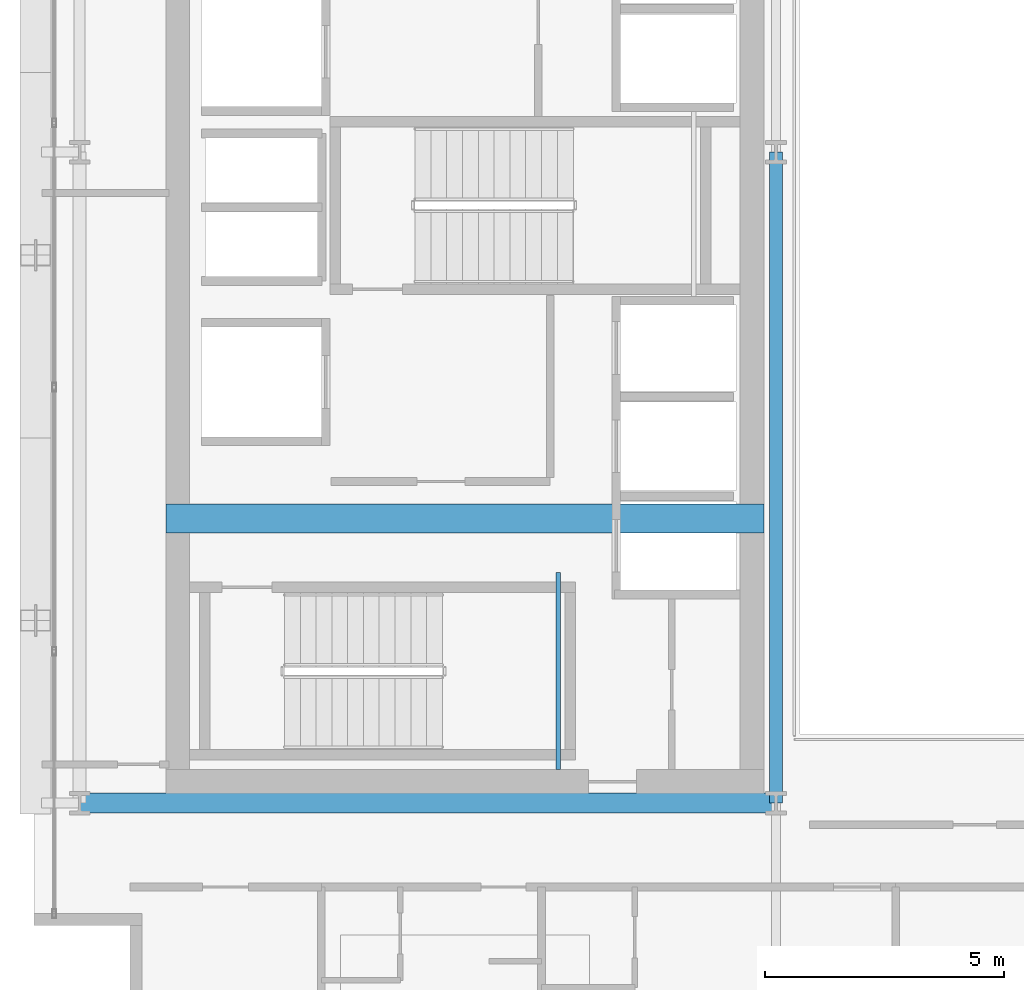
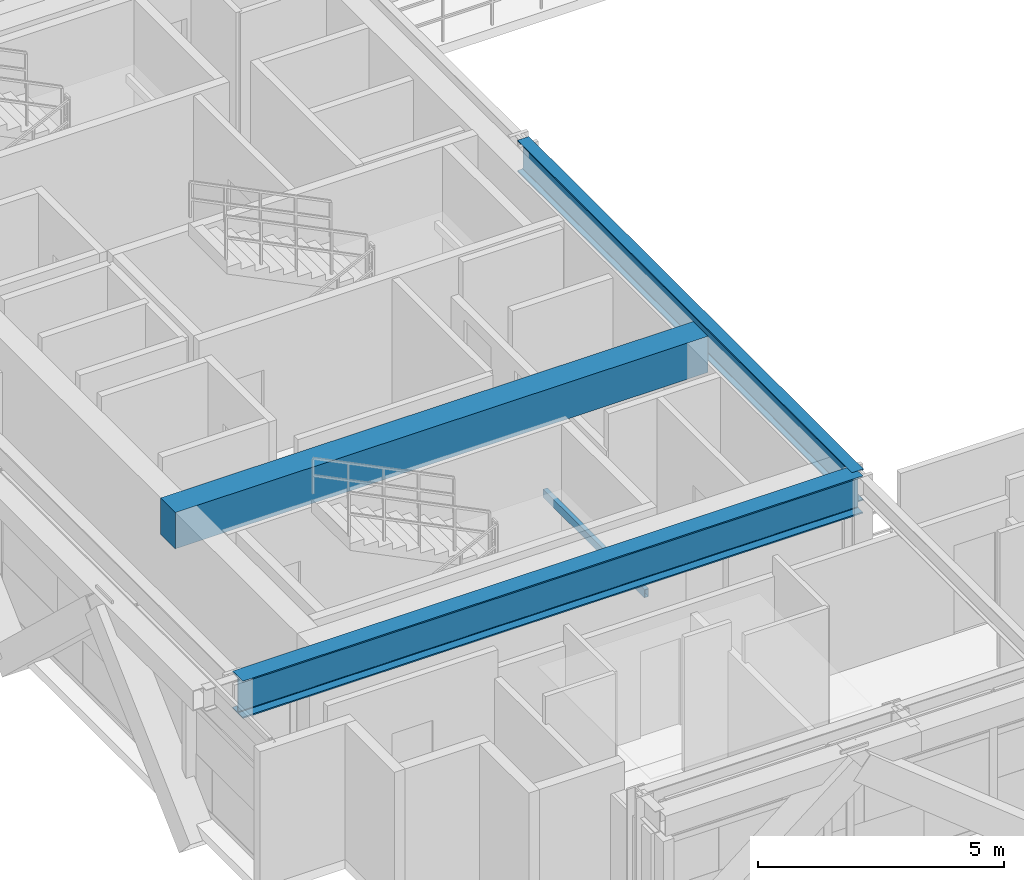
# One storey, part 5 of 31: 4 beams.
"""IFC4 building model written with IfcOpenShell, lengths in metres."""

from ifc_helpers import new_model, si_unit, direction, frame, origin, origin_2d, place, context, subcontext, project, spatial, rectangle, hollow_rectangle, i_section, extrude, source, transform, mapped, material, material_profile, profile_set, type_object, element, save


model = new_model("IFC4")

# Units and contexts
model_context = context("Model", 3, precision=1e-05, world=origin(), true_north=direction((0.0, 1.0)))
body_context = subcontext(model_context, "Body", "Model", "MODEL_VIEW")
ifc_project = project(units=[si_unit("LENGTHUNIT", "METRE"), si_unit("AREAUNIT", "SQUARE_METRE"), si_unit("VOLUMEUNIT", "CUBIC_METRE"), si_unit("PLANEANGLEUNIT", "RADIAN"), si_unit("MASSUNIT", "GRAM", prefix="KILO")], contexts=[model_context])

# Site, building, storey
site_placement = place(None, origin())
site = spatial("IfcSite", under=ifc_project, at=site_placement, CompositionType="ELEMENT")
building_placement = place(site_placement, origin())
building = spatial("IfcBuilding", under=site, at=building_placement, Name="Ocotamira Hotel", CompositionType="ELEMENT")
storey_placement = place(building_placement, frame((0.0, 0.0, 210.0)))
storey = spatial("IfcBuildingStorey", under=building, at=storey_placement, Name="L53", CompositionType="ELEMENT", Elevation=210.0)

# Beams
ifc_material_1 = material(Name="Concrete C50/60", Category="concrete")
ifc_material_profile_1 = material_profile(ifc_material_1, rectangle(XDim=0.60009765625, YDim=0.89990234375, at=origin_2d()), Name="RC600X900")
ifc_profile_set_1 = profile_set([ifc_material_profile_1], Name="Concrete C50/60")
beam_type_1 = type_object("IfcBeamType", Name="BM-LINK-RC600", PredefinedType="LINTEL", material=ifc_profile_set_1)
shared_shape_1 = source(origin(), body_context, "Body", "SweptSolid", [
    extrude(rectangle(XDim=0.60009765625, YDim=0.89990234375, at=origin_2d()), origin(), (0.0, 0.0, 1.0), 12.5),
])
beam_1_placement = place(storey_placement, frame((10.75, 20.5, 2.919921875), z_axis=(1.0, 0.0, 0.0), x_axis=(0.0, 1.0, 0.0)))
element("IfcBeam", 1, at=beam_1_placement, inside=storey, type_object=beam_type_1, Name="L53 West Core Coupling Beam", PredefinedType="LINTEL", context=body_context, shape_type="MappedRepresentation", body=[
    mapped(shared_shape_1, transform((0.0, 0.0, 0.0), scale=1.0)),
])
ifc_material_2 = material(Name="Steel ASTM A500 Grade C", Category="steel")
ifc_material_profile_2 = material_profile(ifc_material_2, hollow_rectangle(XDim=0.10009765625, YDim=0.199951171875, WallThickness=0.008056640625, at=origin_2d()), Name="HSS200X100X8")
ifc_profile_set_2 = profile_set([ifc_material_profile_2], Name="Steel ASTM A500 Grade C")
beam_type_2 = type_object("IfcBeamType", Name="BM-STLDG-HSS200", PredefinedType="BEAM", material=ifc_profile_set_2)
shared_shape_2 = source(origin(), body_context, "Body", "SweptSolid", [
    extrude(hollow_rectangle(XDim=0.10009765625, YDim=0.199951171875, WallThickness=0.008056640625, at=origin_2d()), origin(), (0.0, 0.0, 1.0), 4.1201171875),
])
beam_2_placement = place(storey_placement, frame((18.949951171875, 15.25, 1.5), z_axis=(0.0, 1.0, 0.0), x_axis=(-1.0, 0.0, 0.0)))
element("IfcBeam", 2, at=beam_2_placement, inside=storey, type_object=beam_type_2, Name="L53 Stair ST-1 Landing Bearer 1", PredefinedType="BEAM", context=body_context, shape_type="MappedRepresentation", body=[
    mapped(shared_shape_2, transform((0.0, 0.0, 0.0), scale=1.0)),
])
ifc_material_3 = material(Name="Steel ASTM A992 Grade 50", Category="steel")
ifc_material_profile_3 = material_profile(ifc_material_3, i_section(OverallWidth=0.41796875, OverallDepth=0.927001953125, WebThickness=0.019287109375, FlangeThickness=0.031982421875, FilletRadius=0.02392578125, at=origin_2d()), Name="W36X231")
ifc_profile_set_3 = profile_set([ifc_material_profile_3], Name="Steel ASTM A992 Grade 50")
beam_type_3 = type_object("IfcBeamType", Name="BM-GIRD-W36X231", PredefinedType="BEAM", material=ifc_profile_set_3)
shared_shape_3 = source(origin(), body_context, "Body", "SweptSolid", [
    extrude(i_section(OverallWidth=0.41796875, OverallDepth=0.927001953125, WebThickness=0.019287109375, FlangeThickness=0.031982421875, FilletRadius=0.02392578125, at=origin_2d()), origin(), (0.0, 0.0, 1.0), 14.550048828125),
])
beam_3_placement = place(storey_placement, frame((8.949951171875, 14.550048828125, 2.906494140625), z_axis=(1.0, 0.0, 0.0), x_axis=(0.0, 1.0, 0.0)))
element("IfcBeam", 3, at=beam_3_placement, inside=storey, type_object=beam_type_3, Name="L53 Girder Y14.55 X8.95-23.5", PredefinedType="BEAM", context=body_context, shape_type="MappedRepresentation", body=[
    mapped(shared_shape_3, transform((0.0, 0.0, 0.0), scale=1.0)),
])
ifc_material_profile_4 = material_profile(ifc_material_3, i_section(OverallWidth=0.26611328125, OverallDepth=0.779052734375, WebThickness=0.0166015625, FlangeThickness=0.030029296875, FilletRadius=0.01806640625, at=origin_2d()), Name="W30X148")
ifc_profile_set_4 = profile_set([ifc_material_profile_4], Name="Steel ASTM A992 Grade 50")
beam_type_4 = type_object("IfcBeamType", Name="BM-GIRD-W30X148", PredefinedType="BEAM", material=ifc_profile_set_4)
shared_shape_4 = source(origin(), body_context, "Body", "SweptSolid", [
    extrude(i_section(OverallWidth=0.26611328125, OverallDepth=0.779052734375, WebThickness=0.0166015625, FlangeThickness=0.030029296875, FilletRadius=0.01806640625, at=origin_2d()), origin(), (0.0, 0.0, 1.0), 13.599853515625),
])
beam_4_placement = place(storey_placement, frame((23.5, 14.550048828125, 2.98046875), z_axis=(0.0, 1.0, 0.0), x_axis=(-1.0, 0.0, 0.0)))
element("IfcBeam", 4, at=beam_4_placement, inside=storey, type_object=beam_type_4, Name="L53 Beam X23.5 Y14.55-28.15", PredefinedType="BEAM", context=body_context, shape_type="MappedRepresentation", body=[
    mapped(shared_shape_4, transform((0.0, 0.0, 0.0), scale=1.0)),
])

save(model, "model.ifc")
